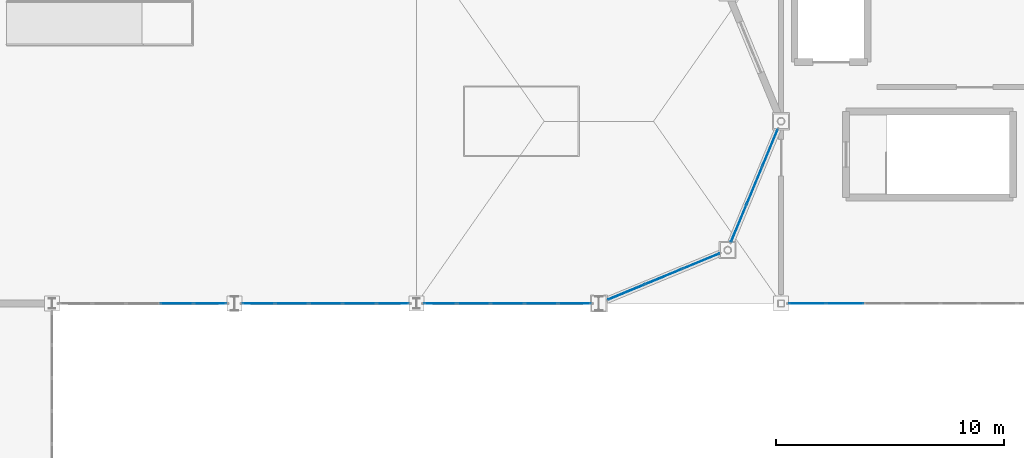
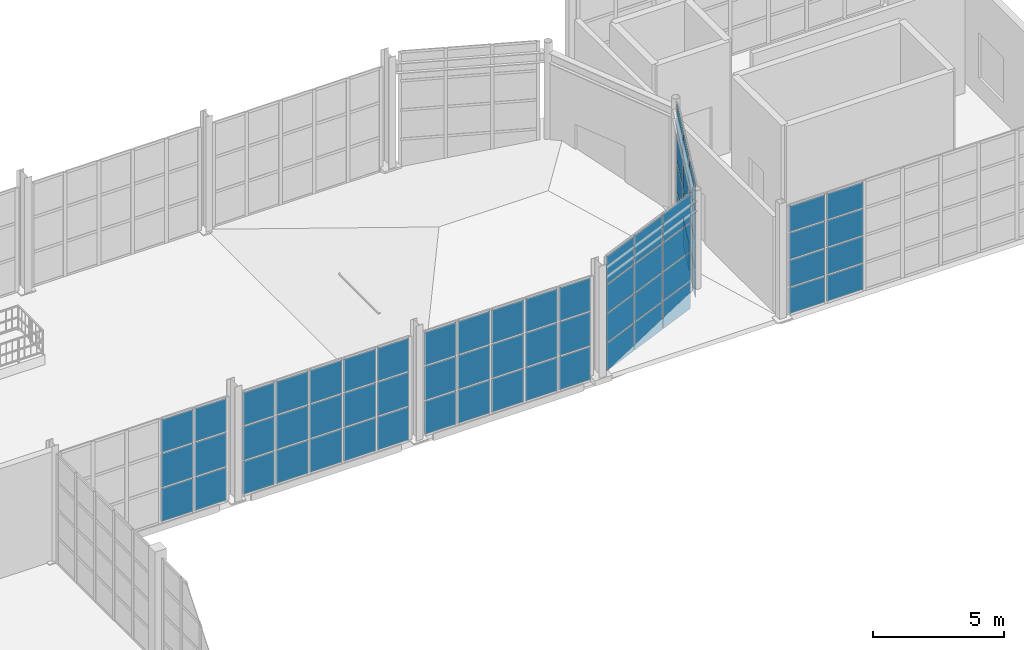
# One storey, part 61 of 82: 68 plates, 6 elements without a shape of their own.
"""IFC4 building model written with IfcOpenShell, lengths in metres."""

from ifc_helpers import new_model, si_unit, direction, frame, origin, origin_2d, place, context, subcontext, project, spatial, rectangle, extrude, material, layer, layer_set, type_object, element, aggregate, save


model = new_model("IFC4")

# Units and contexts
model_context = context("Model", 3, precision=1e-05, world=origin(), true_north=direction((0.0, 1.0)))
body_context = subcontext(model_context, "Body", "Model", "MODEL_VIEW")
ifc_project = project(units=[si_unit("LENGTHUNIT", "METRE"), si_unit("AREAUNIT", "SQUARE_METRE"), si_unit("VOLUMEUNIT", "CUBIC_METRE"), si_unit("PLANEANGLEUNIT", "RADIAN"), si_unit("MASSUNIT", "GRAM", prefix="KILO")], contexts=[model_context])

# Site, building, storey
site_placement = place(None, origin())
site = spatial("IfcSite", under=ifc_project, at=site_placement, CompositionType="ELEMENT")
building_placement = place(site_placement, origin())
building = spatial("IfcBuilding", under=site, at=building_placement, Name="Serraluz Foothill Cableway Terminal", CompositionType="ELEMENT")
storey_placement = place(building_placement, frame((0.0, 0.0, 9.60009765625)))
storey = spatial("IfcBuildingStorey", under=building, at=storey_placement, Name="L02", CompositionType="ELEMENT", Elevation=9.60009765625)

# Curtain wall, plates
ifc_material_1 = material(Name="Architectural bronze alloy C28000", Category="aluminium")
curtain_wall_type_1 = type_object("IfcCurtainWallType", Name="TYP-CW-380X420", PredefinedType="NOTDEFINED", material=ifc_material_1)
curtain_wall_1_placement = place(storey_placement, origin())
curtain_wall_1 = element("IfcCurtainWall", 1, at=curtain_wall_1_placement, inside=storey, type_object=curtain_wall_type_1, Name="Ribbed Glazed Curtain Wall CW-V1S-L02-128", PredefinedType="NOTDEFINED")
ifc_material_2 = material(Name="Translucent ribbed laminated channel glass", Category="glass")
ifc_layer_1 = layer(ifc_material_2, 0.028076171875, Name="Translucent ribbed laminated channel glass", Category="glass")
ifc_layer_set_1 = layer_set([ifc_layer_1], Name="Translucent ribbed laminated channel glass")
plate_type_1 = type_object("IfcPlateType", Name="TYP-CW-PNL-28", PredefinedType="CURTAIN_PANEL", material=ifc_layer_set_1)
plate_1_placement = place(storey_placement, frame((134.94091796875, 56.0, 0.06005859375), z_axis=(0.0, 0.0, 1.0), x_axis=(-1.0, 0.0, 0.0)))
plate_1 = element("IfcPlate", 2, at=plate_1_placement, type_object=plate_type_1, Name="CW-17 panel 1.1", PredefinedType="CURTAIN_PANEL", context=body_context, shape_type="SweptSolid", body=[
    extrude(rectangle(XDim=1.393310546875, YDim=0.028076171875, at=origin_2d()), origin(), (0.0, 0.0, 1.0), 1.526611328125),
])
plate_2_placement = place(storey_placement, frame((134.94091796875, 56.0, 1.646484375), z_axis=(0.0, 0.0, 1.0), x_axis=(-1.0, 0.0, 0.0)))
plate_2 = element("IfcPlate", 3, at=plate_2_placement, type_object=plate_type_1, Name="CW-17 panel 1.2", PredefinedType="CURTAIN_PANEL", context=body_context, shape_type="SweptSolid", body=[
    extrude(rectangle(XDim=1.393310546875, YDim=0.028076171875, at=origin_2d()), origin(), (0.0, 0.0, 1.0), 1.556640625),
])
plate_3_placement = place(storey_placement, frame((134.94091796875, 56.0, 3.26318359375), z_axis=(0.0, 0.0, 1.0), x_axis=(-1.0, 0.0, 0.0)))
plate_3 = element("IfcPlate", 4, at=plate_3_placement, type_object=plate_type_1, Name="CW-17 panel 1.3", PredefinedType="CURTAIN_PANEL", context=body_context, shape_type="SweptSolid", body=[
    extrude(rectangle(XDim=1.393310546875, YDim=0.028076171875, at=origin_2d()), origin(), (0.0, 0.0, 1.0), 1.526611328125),
])
plate_4_placement = place(storey_placement, frame((133.47265625, 56.0, 0.06005859375), z_axis=(0.0, 0.0, 1.0), x_axis=(-1.0, 0.0, 0.0)))
plate_4 = element("IfcPlate", 5, at=plate_4_placement, type_object=plate_type_1, Name="CW-17 panel 2.1", PredefinedType="CURTAIN_PANEL", context=body_context, shape_type="SweptSolid", body=[
    extrude(rectangle(XDim=1.423095703125, YDim=0.028076171875, at=origin_2d()), origin(), (0.0, 0.0, 1.0), 1.526611328125),
])
plate_5_placement = place(storey_placement, frame((133.47265625, 56.0, 1.646484375), z_axis=(0.0, 0.0, 1.0), x_axis=(-1.0, 0.0, 0.0)))
plate_5 = element("IfcPlate", 6, at=plate_5_placement, type_object=plate_type_1, Name="CW-17 panel 2.2", PredefinedType="CURTAIN_PANEL", context=body_context, shape_type="SweptSolid", body=[
    extrude(rectangle(XDim=1.423095703125, YDim=0.028076171875, at=origin_2d()), origin(), (0.0, 0.0, 1.0), 1.556640625),
])
plate_6_placement = place(storey_placement, frame((133.47265625, 56.0, 3.26318359375), z_axis=(0.0, 0.0, 1.0), x_axis=(-1.0, 0.0, 0.0)))
plate_6 = element("IfcPlate", 7, at=plate_6_placement, type_object=plate_type_1, Name="CW-17 panel 2.3", PredefinedType="CURTAIN_PANEL", context=body_context, shape_type="SweptSolid", body=[
    extrude(rectangle(XDim=1.423095703125, YDim=0.028076171875, at=origin_2d()), origin(), (0.0, 0.0, 1.0), 1.526611328125),
])
aggregate(curtain_wall_1, [plate_1, plate_2, plate_3, plate_4, plate_5, plate_6])

curtain_wall_type_2 = type_object("IfcCurtainWallType", Name="TYP-CW-360X380", PredefinedType="NOTDEFINED", material=ifc_material_1)
curtain_wall_2_placement = place(storey_placement, origin())
curtain_wall_2 = element("IfcCurtainWall", 8, at=curtain_wall_2_placement, inside=storey, type_object=curtain_wall_type_2, Name="Ribbed Glazed Curtain Wall CW-V1S-L02-136", PredefinedType="NOTDEFINED")
plate_7_placement = place(storey_placement, frame((142.9619140625, 56.0, 0.06005859375), z_axis=(0.0, 0.0, 1.0), x_axis=(-1.0, 0.0, 0.0)))
plate_7 = element("IfcPlate", 9, at=plate_7_placement, type_object=plate_type_1, Name="CW-18 panel 1.1", PredefinedType="CURTAIN_PANEL", context=body_context, shape_type="SweptSolid", body=[
    extrude(rectangle(XDim=1.393310546875, YDim=0.028076171875, at=origin_2d()), origin(), (0.0, 0.0, 1.0), 1.526611328125),
])
plate_8_placement = place(storey_placement, frame((142.9619140625, 56.0, 1.646484375), z_axis=(0.0, 0.0, 1.0), x_axis=(-1.0, 0.0, 0.0)))
plate_8 = element("IfcPlate", 10, at=plate_8_placement, type_object=plate_type_1, Name="CW-18 panel 1.2", PredefinedType="CURTAIN_PANEL", context=body_context, shape_type="SweptSolid", body=[
    extrude(rectangle(XDim=1.393310546875, YDim=0.028076171875, at=origin_2d()), origin(), (0.0, 0.0, 1.0), 1.556640625),
])
plate_9_placement = place(storey_placement, frame((142.9619140625, 56.0, 3.26318359375), z_axis=(0.0, 0.0, 1.0), x_axis=(-1.0, 0.0, 0.0)))
plate_9 = element("IfcPlate", 11, at=plate_9_placement, type_object=plate_type_1, Name="CW-18 panel 1.3", PredefinedType="CURTAIN_PANEL", context=body_context, shape_type="SweptSolid", body=[
    extrude(rectangle(XDim=1.393310546875, YDim=0.028076171875, at=origin_2d()), origin(), (0.0, 0.0, 1.0), 1.526611328125),
])
plate_10_placement = place(storey_placement, frame((141.49365234375, 56.0, 0.06005859375), z_axis=(0.0, 0.0, 1.0), x_axis=(-1.0, 0.0, 0.0)))
plate_10 = element("IfcPlate", 12, at=plate_10_placement, type_object=plate_type_1, Name="CW-18 panel 2.1", PredefinedType="CURTAIN_PANEL", context=body_context, shape_type="SweptSolid", body=[
    extrude(rectangle(XDim=1.423095703125, YDim=0.028076171875, at=origin_2d()), origin(), (0.0, 0.0, 1.0), 1.526611328125),
])
plate_11_placement = place(storey_placement, frame((141.49365234375, 56.0, 1.646484375), z_axis=(0.0, 0.0, 1.0), x_axis=(-1.0, 0.0, 0.0)))
plate_11 = element("IfcPlate", 13, at=plate_11_placement, type_object=plate_type_1, Name="CW-18 panel 2.2", PredefinedType="CURTAIN_PANEL", context=body_context, shape_type="SweptSolid", body=[
    extrude(rectangle(XDim=1.423095703125, YDim=0.028076171875, at=origin_2d()), origin(), (0.0, 0.0, 1.0), 1.556640625),
])
plate_12_placement = place(storey_placement, frame((141.49365234375, 56.0, 3.26318359375), z_axis=(0.0, 0.0, 1.0), x_axis=(-1.0, 0.0, 0.0)))
plate_12 = element("IfcPlate", 14, at=plate_12_placement, type_object=plate_type_1, Name="CW-18 panel 2.3", PredefinedType="CURTAIN_PANEL", context=body_context, shape_type="SweptSolid", body=[
    extrude(rectangle(XDim=1.423095703125, YDim=0.028076171875, at=origin_2d()), origin(), (0.0, 0.0, 1.0), 1.526611328125),
])
plate_13_placement = place(storey_placement, frame((140.010498046875, 56.0, 0.06005859375), z_axis=(0.0, 0.0, 1.0), x_axis=(-1.0, 0.0, 0.0)))
plate_13 = element("IfcPlate", 15, at=plate_13_placement, type_object=plate_type_1, Name="CW-18 panel 3.1", PredefinedType="CURTAIN_PANEL", context=body_context, shape_type="SweptSolid", body=[
    extrude(rectangle(XDim=1.423095703125, YDim=0.028076171875, at=origin_2d()), origin(), (0.0, 0.0, 1.0), 1.526611328125),
])
plate_14_placement = place(storey_placement, frame((140.010498046875, 56.0, 1.646484375), z_axis=(0.0, 0.0, 1.0), x_axis=(-1.0, 0.0, 0.0)))
plate_14 = element("IfcPlate", 16, at=plate_14_placement, type_object=plate_type_1, Name="CW-18 panel 3.2", PredefinedType="CURTAIN_PANEL", context=body_context, shape_type="SweptSolid", body=[
    extrude(rectangle(XDim=1.423095703125, YDim=0.028076171875, at=origin_2d()), origin(), (0.0, 0.0, 1.0), 1.556640625),
])
plate_15_placement = place(storey_placement, frame((140.010498046875, 56.0, 3.26318359375), z_axis=(0.0, 0.0, 1.0), x_axis=(-1.0, 0.0, 0.0)))
plate_15 = element("IfcPlate", 17, at=plate_15_placement, type_object=plate_type_1, Name="CW-18 panel 3.3", PredefinedType="CURTAIN_PANEL", context=body_context, shape_type="SweptSolid", body=[
    extrude(rectangle(XDim=1.423095703125, YDim=0.028076171875, at=origin_2d()), origin(), (0.0, 0.0, 1.0), 1.526611328125),
])
plate_16_placement = place(storey_placement, frame((138.52734375, 56.0, 0.06005859375), z_axis=(0.0, 0.0, 1.0), x_axis=(-1.0, 0.0, 0.0)))
plate_16 = element("IfcPlate", 18, at=plate_16_placement, type_object=plate_type_1, Name="CW-18 panel 4.1", PredefinedType="CURTAIN_PANEL", context=body_context, shape_type="SweptSolid", body=[
    extrude(rectangle(XDim=1.423095703125, YDim=0.028076171875, at=origin_2d()), origin(), (0.0, 0.0, 1.0), 1.526611328125),
])
plate_17_placement = place(storey_placement, frame((138.52734375, 56.0, 1.646484375), z_axis=(0.0, 0.0, 1.0), x_axis=(-1.0, 0.0, 0.0)))
plate_17 = element("IfcPlate", 19, at=plate_17_placement, type_object=plate_type_1, Name="CW-18 panel 4.2", PredefinedType="CURTAIN_PANEL", context=body_context, shape_type="SweptSolid", body=[
    extrude(rectangle(XDim=1.423095703125, YDim=0.028076171875, at=origin_2d()), origin(), (0.0, 0.0, 1.0), 1.556640625),
])
plate_18_placement = place(storey_placement, frame((138.52734375, 56.0, 3.26318359375), z_axis=(0.0, 0.0, 1.0), x_axis=(-1.0, 0.0, 0.0)))
plate_18 = element("IfcPlate", 20, at=plate_18_placement, type_object=plate_type_1, Name="CW-18 panel 4.3", PredefinedType="CURTAIN_PANEL", context=body_context, shape_type="SweptSolid", body=[
    extrude(rectangle(XDim=1.423095703125, YDim=0.028076171875, at=origin_2d()), origin(), (0.0, 0.0, 1.0), 1.526611328125),
])
plate_19_placement = place(storey_placement, frame((137.05908203125, 56.0, 0.06005859375), z_axis=(0.0, 0.0, 1.0), x_axis=(-1.0, 0.0, 0.0)))
plate_19 = element("IfcPlate", 21, at=plate_19_placement, type_object=plate_type_1, Name="CW-18 panel 5.1", PredefinedType="CURTAIN_PANEL", context=body_context, shape_type="SweptSolid", body=[
    extrude(rectangle(XDim=1.393310546875, YDim=0.028076171875, at=origin_2d()), origin(), (0.0, 0.0, 1.0), 1.526611328125),
])
plate_20_placement = place(storey_placement, frame((137.05908203125, 56.0, 1.646484375), z_axis=(0.0, 0.0, 1.0), x_axis=(-1.0, 0.0, 0.0)))
plate_20 = element("IfcPlate", 22, at=plate_20_placement, type_object=plate_type_1, Name="CW-18 panel 5.2", PredefinedType="CURTAIN_PANEL", context=body_context, shape_type="SweptSolid", body=[
    extrude(rectangle(XDim=1.393310546875, YDim=0.028076171875, at=origin_2d()), origin(), (0.0, 0.0, 1.0), 1.556640625),
])
plate_21_placement = place(storey_placement, frame((137.05908203125, 56.0, 3.26318359375), z_axis=(0.0, 0.0, 1.0), x_axis=(-1.0, 0.0, 0.0)))
plate_21 = element("IfcPlate", 23, at=plate_21_placement, type_object=plate_type_1, Name="CW-18 panel 5.3", PredefinedType="CURTAIN_PANEL", context=body_context, shape_type="SweptSolid", body=[
    extrude(rectangle(XDim=1.393310546875, YDim=0.028076171875, at=origin_2d()), origin(), (0.0, 0.0, 1.0), 1.526611328125),
])
aggregate(curtain_wall_2, [plate_7, plate_8, plate_9, plate_10, plate_11, plate_12, plate_13, plate_14, plate_15, plate_16, plate_17, plate_18, plate_19, plate_20, plate_21])

curtain_wall_type_3 = type_object("IfcCurtainWallType", Name="TYP-CW-880X420", PredefinedType="NOTDEFINED", material=ifc_material_1)
curtain_wall_3_placement = place(storey_placement, origin())
curtain_wall_3 = element("IfcCurtainWall", 24, at=curtain_wall_3_placement, inside=storey, type_object=curtain_wall_type_3, Name="Ribbed Glazed Curtain Wall CW-V1S-L02-144", PredefinedType="NOTDEFINED")
plate_22_placement = place(storey_placement, frame((150.94091796875, 56.0, 0.06005859375), z_axis=(0.0, 0.0, 1.0), x_axis=(-1.0, 0.0, 0.0)))
plate_22 = element("IfcPlate", 25, at=plate_22_placement, type_object=plate_type_1, Name="CW-19 panel 1.1", PredefinedType="CURTAIN_PANEL", context=body_context, shape_type="SweptSolid", body=[
    extrude(rectangle(XDim=1.393310546875, YDim=0.028076171875, at=origin_2d()), origin(), (0.0, 0.0, 1.0), 1.526611328125),
])
plate_23_placement = place(storey_placement, frame((150.94091796875, 56.0, 1.646484375), z_axis=(0.0, 0.0, 1.0), x_axis=(-1.0, 0.0, 0.0)))
plate_23 = element("IfcPlate", 26, at=plate_23_placement, type_object=plate_type_1, Name="CW-19 panel 1.2", PredefinedType="CURTAIN_PANEL", context=body_context, shape_type="SweptSolid", body=[
    extrude(rectangle(XDim=1.393310546875, YDim=0.028076171875, at=origin_2d()), origin(), (0.0, 0.0, 1.0), 1.556640625),
])
plate_24_placement = place(storey_placement, frame((150.94091796875, 56.0, 3.26318359375), z_axis=(0.0, 0.0, 1.0), x_axis=(-1.0, 0.0, 0.0)))
plate_24 = element("IfcPlate", 27, at=plate_24_placement, type_object=plate_type_1, Name="CW-19 panel 1.3", PredefinedType="CURTAIN_PANEL", context=body_context, shape_type="SweptSolid", body=[
    extrude(rectangle(XDim=1.393310546875, YDim=0.028076171875, at=origin_2d()), origin(), (0.0, 0.0, 1.0), 1.526611328125),
])
plate_25_placement = place(storey_placement, frame((149.47265625, 56.0, 0.06005859375), z_axis=(0.0, 0.0, 1.0), x_axis=(-1.0, 0.0, 0.0)))
plate_25 = element("IfcPlate", 28, at=plate_25_placement, type_object=plate_type_1, Name="CW-19 panel 2.1", PredefinedType="CURTAIN_PANEL", context=body_context, shape_type="SweptSolid", body=[
    extrude(rectangle(XDim=1.423095703125, YDim=0.028076171875, at=origin_2d()), origin(), (0.0, 0.0, 1.0), 1.526611328125),
])
plate_26_placement = place(storey_placement, frame((149.47265625, 56.0, 1.646484375), z_axis=(0.0, 0.0, 1.0), x_axis=(-1.0, 0.0, 0.0)))
plate_26 = element("IfcPlate", 29, at=plate_26_placement, type_object=plate_type_1, Name="CW-19 panel 2.2", PredefinedType="CURTAIN_PANEL", context=body_context, shape_type="SweptSolid", body=[
    extrude(rectangle(XDim=1.423095703125, YDim=0.028076171875, at=origin_2d()), origin(), (0.0, 0.0, 1.0), 1.556640625),
])
plate_27_placement = place(storey_placement, frame((149.47265625, 56.0, 3.26318359375), z_axis=(0.0, 0.0, 1.0), x_axis=(-1.0, 0.0, 0.0)))
plate_27 = element("IfcPlate", 30, at=plate_27_placement, type_object=plate_type_1, Name="CW-19 panel 2.3", PredefinedType="CURTAIN_PANEL", context=body_context, shape_type="SweptSolid", body=[
    extrude(rectangle(XDim=1.423095703125, YDim=0.028076171875, at=origin_2d()), origin(), (0.0, 0.0, 1.0), 1.526611328125),
])
plate_28_placement = place(storey_placement, frame((147.989501953125, 56.0, 0.06005859375), z_axis=(0.0, 0.0, 1.0), x_axis=(-1.0, 0.0, 0.0)))
plate_28 = element("IfcPlate", 31, at=plate_28_placement, type_object=plate_type_1, Name="CW-19 panel 3.1", PredefinedType="CURTAIN_PANEL", context=body_context, shape_type="SweptSolid", body=[
    extrude(rectangle(XDim=1.423095703125, YDim=0.028076171875, at=origin_2d()), origin(), (0.0, 0.0, 1.0), 1.526611328125),
])
plate_29_placement = place(storey_placement, frame((147.989501953125, 56.0, 1.646484375), z_axis=(0.0, 0.0, 1.0), x_axis=(-1.0, 0.0, 0.0)))
plate_29 = element("IfcPlate", 32, at=plate_29_placement, type_object=plate_type_1, Name="CW-19 panel 3.2", PredefinedType="CURTAIN_PANEL", context=body_context, shape_type="SweptSolid", body=[
    extrude(rectangle(XDim=1.423095703125, YDim=0.028076171875, at=origin_2d()), origin(), (0.0, 0.0, 1.0), 1.556640625),
])
plate_30_placement = place(storey_placement, frame((147.989501953125, 56.0, 3.26318359375), z_axis=(0.0, 0.0, 1.0), x_axis=(-1.0, 0.0, 0.0)))
plate_30 = element("IfcPlate", 33, at=plate_30_placement, type_object=plate_type_1, Name="CW-19 panel 3.3", PredefinedType="CURTAIN_PANEL", context=body_context, shape_type="SweptSolid", body=[
    extrude(rectangle(XDim=1.423095703125, YDim=0.028076171875, at=origin_2d()), origin(), (0.0, 0.0, 1.0), 1.526611328125),
])
plate_31_placement = place(storey_placement, frame((146.50634765625, 56.0, 0.06005859375), z_axis=(0.0, 0.0, 1.0), x_axis=(-1.0, 0.0, 0.0)))
plate_31 = element("IfcPlate", 34, at=plate_31_placement, type_object=plate_type_1, Name="CW-19 panel 4.1", PredefinedType="CURTAIN_PANEL", context=body_context, shape_type="SweptSolid", body=[
    extrude(rectangle(XDim=1.423095703125, YDim=0.028076171875, at=origin_2d()), origin(), (0.0, 0.0, 1.0), 1.526611328125),
])
plate_32_placement = place(storey_placement, frame((146.50634765625, 56.0, 1.646484375), z_axis=(0.0, 0.0, 1.0), x_axis=(-1.0, 0.0, 0.0)))
plate_32 = element("IfcPlate", 35, at=plate_32_placement, type_object=plate_type_1, Name="CW-19 panel 4.2", PredefinedType="CURTAIN_PANEL", context=body_context, shape_type="SweptSolid", body=[
    extrude(rectangle(XDim=1.423095703125, YDim=0.028076171875, at=origin_2d()), origin(), (0.0, 0.0, 1.0), 1.556640625),
])
plate_33_placement = place(storey_placement, frame((146.50634765625, 56.0, 3.26318359375), z_axis=(0.0, 0.0, 1.0), x_axis=(-1.0, 0.0, 0.0)))
plate_33 = element("IfcPlate", 36, at=plate_33_placement, type_object=plate_type_1, Name="CW-19 panel 4.3", PredefinedType="CURTAIN_PANEL", context=body_context, shape_type="SweptSolid", body=[
    extrude(rectangle(XDim=1.423095703125, YDim=0.028076171875, at=origin_2d()), origin(), (0.0, 0.0, 1.0), 1.526611328125),
])
plate_34_placement = place(storey_placement, frame((145.0380859375, 56.0, 0.06005859375), z_axis=(0.0, 0.0, 1.0), x_axis=(-1.0, 0.0, 0.0)))
plate_34 = element("IfcPlate", 37, at=plate_34_placement, type_object=plate_type_1, Name="CW-19 panel 5.1", PredefinedType="CURTAIN_PANEL", context=body_context, shape_type="SweptSolid", body=[
    extrude(rectangle(XDim=1.393310546875, YDim=0.028076171875, at=origin_2d()), origin(), (0.0, 0.0, 1.0), 1.526611328125),
])
plate_35_placement = place(storey_placement, frame((145.0380859375, 56.0, 1.646484375), z_axis=(0.0, 0.0, 1.0), x_axis=(-1.0, 0.0, 0.0)))
plate_35 = element("IfcPlate", 38, at=plate_35_placement, type_object=plate_type_1, Name="CW-19 panel 5.2", PredefinedType="CURTAIN_PANEL", context=body_context, shape_type="SweptSolid", body=[
    extrude(rectangle(XDim=1.393310546875, YDim=0.028076171875, at=origin_2d()), origin(), (0.0, 0.0, 1.0), 1.556640625),
])
plate_36_placement = place(storey_placement, frame((145.0380859375, 56.0, 3.26318359375), z_axis=(0.0, 0.0, 1.0), x_axis=(-1.0, 0.0, 0.0)))
plate_36 = element("IfcPlate", 39, at=plate_36_placement, type_object=plate_type_1, Name="CW-19 panel 5.3", PredefinedType="CURTAIN_PANEL", context=body_context, shape_type="SweptSolid", body=[
    extrude(rectangle(XDim=1.393310546875, YDim=0.028076171875, at=origin_2d()), origin(), (0.0, 0.0, 1.0), 1.526611328125),
])
aggregate(curtain_wall_3, [plate_22, plate_23, plate_24, plate_25, plate_26, plate_27, plate_28, plate_29, plate_30, plate_31, plate_32, plate_33, plate_34, plate_35, plate_36])

curtain_wall_type_4 = type_object("IfcCurtainWallType", Name="TYP-CW-440X360", PredefinedType="NOTDEFINED", material=ifc_material_1)
curtain_wall_4_placement = place(storey_placement, origin())
curtain_wall_4 = element("IfcCurtainWall", 40, at=curtain_wall_4_placement, inside=storey, type_object=curtain_wall_type_4, Name="Ribbed Glazed Curtain Wall CW-V1-E-L02-3", PredefinedType="NOTDEFINED")
ifc_material_3 = material(Name="Laminated low-E safety glass", Category="glass")
ifc_layer_2 = layer(ifc_material_3, 0.031982421875, Name="Laminated low-E safety glass", Category="glass")
ifc_layer_set_2 = layer_set([ifc_layer_2], Name="Laminated low-E safety glass")
plate_type_2 = type_object("IfcPlateType", Name="TYP-CW-PNL-32", PredefinedType="CURTAIN_PANEL", material=ifc_layer_set_2)
plate_37_placement = place(storey_placement, frame((159.5146484375, 62.827880859375, 0.054931640625), z_axis=(0.0, 0.0, 1.0), x_axis=(-0.382684759834, -0.923878982655, 0.0)))
plate_37 = element("IfcPlate", 41, at=plate_37_placement, type_object=plate_type_2, Name="CW-16 panel 1.1", PredefinedType="CURTAIN_PANEL", context=body_context, shape_type="SweptSolid", body=[
    extrude(rectangle(XDim=1.72412109375, YDim=0.031982421875, at=origin_2d()), origin(), (0.0, 0.0, 1.0), 1.2724609375),
])
plate_38_placement = place(storey_placement, frame((159.5146484375, 62.827880859375, 1.38232421875), z_axis=(0.0, 0.0, 1.0), x_axis=(-0.382684759834, -0.923878982655, 0.0)))
plate_38 = element("IfcPlate", 42, at=plate_38_placement, type_object=plate_type_2, Name="CW-16 panel 1.2", PredefinedType="CURTAIN_PANEL", context=body_context, shape_type="SweptSolid", body=[
    extrude(rectangle(XDim=1.72412109375, YDim=0.031982421875, at=origin_2d()), origin(), (0.0, 0.0, 1.0), 1.300048828125),
])
plate_39_placement = place(storey_placement, frame((159.5146484375, 62.827880859375, 2.7373046875), z_axis=(0.0, 0.0, 1.0), x_axis=(-0.382684759834, -0.923878982655, 0.0)))
plate_39 = element("IfcPlate", 43, at=plate_39_placement, type_object=plate_type_2, Name="CW-16 panel 1.3", PredefinedType="CURTAIN_PANEL", context=body_context, shape_type="SweptSolid", body=[
    extrude(rectangle(XDim=1.72412109375, YDim=0.031982421875, at=origin_2d()), origin(), (0.0, 0.0, 1.0), 1.300048828125),
])
plate_40_placement = place(storey_placement, frame((159.5146484375, 62.827880859375, 4.092529296875), z_axis=(0.0, 0.0, 1.0), x_axis=(-0.382684759834, -0.923878982655, 0.0)))
plate_40 = element("IfcPlate", 44, at=plate_40_placement, type_object=plate_type_2, Name="CW-16 panel 1.4", PredefinedType="CURTAIN_PANEL", context=body_context, shape_type="SweptSolid", body=[
    extrude(rectangle(XDim=1.72412109375, YDim=0.031982421875, at=origin_2d()), origin(), (0.0, 0.0, 1.0), 1.2724609375),
])
plate_41_placement = place(storey_placement, frame((158.828369140625, 61.171630859375, 0.054931640625), z_axis=(0.0, 0.0, 1.0), x_axis=(-0.382684759834, -0.923878982655, 0.0)))
plate_41 = element("IfcPlate", 45, at=plate_41_placement, type_object=plate_type_2, Name="CW-16 panel 2.1", PredefinedType="CURTAIN_PANEL", context=body_context, shape_type="SweptSolid", body=[
    extrude(rectangle(XDim=1.751708984375, YDim=0.031982421875, at=origin_2d()), origin(), (0.0, 0.0, 1.0), 1.2724609375),
])
plate_42_placement = place(storey_placement, frame((158.828369140625, 61.171630859375, 1.38232421875), z_axis=(0.0, 0.0, 1.0), x_axis=(-0.382684759834, -0.923878982655, 0.0)))
plate_42 = element("IfcPlate", 46, at=plate_42_placement, type_object=plate_type_2, Name="CW-16 panel 2.2", PredefinedType="CURTAIN_PANEL", context=body_context, shape_type="SweptSolid", body=[
    extrude(rectangle(XDim=1.751708984375, YDim=0.031982421875, at=origin_2d()), origin(), (0.0, 0.0, 1.0), 1.300048828125),
])
plate_43_placement = place(storey_placement, frame((158.828369140625, 61.171630859375, 2.7373046875), z_axis=(0.0, 0.0, 1.0), x_axis=(-0.382684759834, -0.923878982655, 0.0)))
plate_43 = element("IfcPlate", 47, at=plate_43_placement, type_object=plate_type_2, Name="CW-16 panel 2.3", PredefinedType="CURTAIN_PANEL", context=body_context, shape_type="SweptSolid", body=[
    extrude(rectangle(XDim=1.751708984375, YDim=0.031982421875, at=origin_2d()), origin(), (0.0, 0.0, 1.0), 1.300048828125),
])
plate_44_placement = place(storey_placement, frame((158.828369140625, 61.171630859375, 4.092529296875), z_axis=(0.0, 0.0, 1.0), x_axis=(-0.382684759834, -0.923878982655, 0.0)))
plate_44 = element("IfcPlate", 48, at=plate_44_placement, type_object=plate_type_2, Name="CW-16 panel 2.4", PredefinedType="CURTAIN_PANEL", context=body_context, shape_type="SweptSolid", body=[
    extrude(rectangle(XDim=1.751708984375, YDim=0.031982421875, at=origin_2d()), origin(), (0.0, 0.0, 1.0), 1.2724609375),
])
plate_45_placement = place(storey_placement, frame((158.142333984375, 59.51513671875, 0.054931640625), z_axis=(0.0, 0.0, 1.0), x_axis=(-0.382684759834, -0.923878982655, 0.0)))
plate_45 = element("IfcPlate", 49, at=plate_45_placement, type_object=plate_type_2, Name="CW-16 panel 3.1", PredefinedType="CURTAIN_PANEL", context=body_context, shape_type="SweptSolid", body=[
    extrude(rectangle(XDim=1.72412109375, YDim=0.031982421875, at=origin_2d()), origin(), (0.0, 0.0, 1.0), 1.2724609375),
])
plate_46_placement = place(storey_placement, frame((158.142333984375, 59.51513671875, 1.38232421875), z_axis=(0.0, 0.0, 1.0), x_axis=(-0.382684759834, -0.923878982655, 0.0)))
plate_46 = element("IfcPlate", 50, at=plate_46_placement, type_object=plate_type_2, Name="CW-16 panel 3.2", PredefinedType="CURTAIN_PANEL", context=body_context, shape_type="SweptSolid", body=[
    extrude(rectangle(XDim=1.72412109375, YDim=0.031982421875, at=origin_2d()), origin(), (0.0, 0.0, 1.0), 1.300048828125),
])
plate_47_placement = place(storey_placement, frame((158.142333984375, 59.51513671875, 2.7373046875), z_axis=(0.0, 0.0, 1.0), x_axis=(-0.382684759834, -0.923878982655, 0.0)))
plate_47 = element("IfcPlate", 51, at=plate_47_placement, type_object=plate_type_2, Name="CW-16 panel 3.3", PredefinedType="CURTAIN_PANEL", context=body_context, shape_type="SweptSolid", body=[
    extrude(rectangle(XDim=1.72412109375, YDim=0.031982421875, at=origin_2d()), origin(), (0.0, 0.0, 1.0), 1.300048828125),
])
plate_48_placement = place(storey_placement, frame((158.142333984375, 59.51513671875, 4.092529296875), z_axis=(0.0, 0.0, 1.0), x_axis=(-0.382684759834, -0.923878982655, 0.0)))
plate_48 = element("IfcPlate", 52, at=plate_48_placement, type_object=plate_type_2, Name="CW-16 panel 3.4", PredefinedType="CURTAIN_PANEL", context=body_context, shape_type="SweptSolid", body=[
    extrude(rectangle(XDim=1.72412109375, YDim=0.031982421875, at=origin_2d()), origin(), (0.0, 0.0, 1.0), 1.2724609375),
])
aggregate(curtain_wall_4, [plate_37, plate_38, plate_39, plate_40, plate_41, plate_42, plate_43, plate_44, plate_45, plate_46, plate_47, plate_48])

curtain_wall_5_placement = place(storey_placement, origin())
curtain_wall_5 = element("IfcCurtainWall", 53, at=curtain_wall_5_placement, inside=storey, type_object=curtain_wall_type_1, Name="Ribbed Glazed Curtain Wall CW-V1-E-L02-4", PredefinedType="NOTDEFINED")
plate_49_placement = place(storey_placement, frame((156.493408203125, 57.861328125, 0.054931640625), z_axis=(0.0, 0.0, 1.0), x_axis=(-0.923880260537, -0.382681674752, 0.0)))
plate_49 = element("IfcPlate", 54, at=plate_49_placement, type_object=plate_type_2, Name="CW-17 panel 1.1", PredefinedType="CURTAIN_PANEL", context=body_context, shape_type="SweptSolid", body=[
    extrude(rectangle(XDim=1.705322265625, YDim=0.031982421875, at=origin_2d()), origin(), (0.0, 0.0, 1.0), 1.2724609375),
])
plate_50_placement = place(storey_placement, frame((156.493408203125, 57.861328125, 1.38232421875), z_axis=(0.0, 0.0, 1.0), x_axis=(-0.923880260537, -0.382681674752, 0.0)))
plate_50 = element("IfcPlate", 55, at=plate_50_placement, type_object=plate_type_2, Name="CW-17 panel 1.2", PredefinedType="CURTAIN_PANEL", context=body_context, shape_type="SweptSolid", body=[
    extrude(rectangle(XDim=1.705322265625, YDim=0.031982421875, at=origin_2d()), origin(), (0.0, 0.0, 1.0), 1.300048828125),
])
plate_51_placement = place(storey_placement, frame((156.493408203125, 57.861328125, 2.7373046875), z_axis=(0.0, 0.0, 1.0), x_axis=(-0.923880260537, -0.382681674752, 0.0)))
plate_51 = element("IfcPlate", 56, at=plate_51_placement, type_object=plate_type_2, Name="CW-17 panel 1.3", PredefinedType="CURTAIN_PANEL", context=body_context, shape_type="SweptSolid", body=[
    extrude(rectangle(XDim=1.705322265625, YDim=0.031982421875, at=origin_2d()), origin(), (0.0, 0.0, 1.0), 1.300048828125),
])
plate_52_placement = place(storey_placement, frame((156.493408203125, 57.861328125, 4.092529296875), z_axis=(0.0, 0.0, 1.0), x_axis=(-0.923880260537, -0.382681674752, 0.0)))
plate_52 = element("IfcPlate", 57, at=plate_52_placement, type_object=plate_type_2, Name="CW-17 panel 1.4", PredefinedType="CURTAIN_PANEL", context=body_context, shape_type="SweptSolid", body=[
    extrude(rectangle(XDim=1.705322265625, YDim=0.031982421875, at=origin_2d()), origin(), (0.0, 0.0, 1.0), 1.2724609375),
])
plate_53_placement = place(storey_placement, frame((154.8544921875, 57.182373046875, 0.054931640625), z_axis=(0.0, 0.0, 1.0), x_axis=(-0.923880260537, -0.382681674752, 0.0)))
plate_53 = element("IfcPlate", 58, at=plate_53_placement, type_object=plate_type_2, Name="CW-17 panel 2.1", PredefinedType="CURTAIN_PANEL", context=body_context, shape_type="SweptSolid", body=[
    extrude(rectangle(XDim=1.73291015625, YDim=0.031982421875, at=origin_2d()), origin(), (0.0, 0.0, 1.0), 1.2724609375),
])
plate_54_placement = place(storey_placement, frame((154.8544921875, 57.182373046875, 1.38232421875), z_axis=(0.0, 0.0, 1.0), x_axis=(-0.923880260537, -0.382681674752, 0.0)))
plate_54 = element("IfcPlate", 59, at=plate_54_placement, type_object=plate_type_2, Name="CW-17 panel 2.2", PredefinedType="CURTAIN_PANEL", context=body_context, shape_type="SweptSolid", body=[
    extrude(rectangle(XDim=1.73291015625, YDim=0.031982421875, at=origin_2d()), origin(), (0.0, 0.0, 1.0), 1.300048828125),
])
plate_55_placement = place(storey_placement, frame((154.8544921875, 57.182373046875, 2.7373046875), z_axis=(0.0, 0.0, 1.0), x_axis=(-0.923880260537, -0.382681674752, 0.0)))
plate_55 = element("IfcPlate", 60, at=plate_55_placement, type_object=plate_type_2, Name="CW-17 panel 2.3", PredefinedType="CURTAIN_PANEL", context=body_context, shape_type="SweptSolid", body=[
    extrude(rectangle(XDim=1.73291015625, YDim=0.031982421875, at=origin_2d()), origin(), (0.0, 0.0, 1.0), 1.300048828125),
])
plate_56_placement = place(storey_placement, frame((154.8544921875, 57.182373046875, 4.092529296875), z_axis=(0.0, 0.0, 1.0), x_axis=(-0.923880260537, -0.382681674752, 0.0)))
plate_56 = element("IfcPlate", 61, at=plate_56_placement, type_object=plate_type_2, Name="CW-17 panel 2.4", PredefinedType="CURTAIN_PANEL", context=body_context, shape_type="SweptSolid", body=[
    extrude(rectangle(XDim=1.73291015625, YDim=0.031982421875, at=origin_2d()), origin(), (0.0, 0.0, 1.0), 1.2724609375),
])
plate_57_placement = place(storey_placement, frame((153.215576171875, 56.50341796875, 0.054931640625), z_axis=(0.0, 0.0, 1.0), x_axis=(-0.923880260537, -0.382681674752, 0.0)))
plate_57 = element("IfcPlate", 62, at=plate_57_placement, type_object=plate_type_2, Name="CW-17 panel 3.1", PredefinedType="CURTAIN_PANEL", context=body_context, shape_type="SweptSolid", body=[
    extrude(rectangle(XDim=1.705322265625, YDim=0.031982421875, at=origin_2d()), origin(), (0.0, 0.0, 1.0), 1.2724609375),
])
plate_58_placement = place(storey_placement, frame((153.215576171875, 56.50341796875, 1.38232421875), z_axis=(0.0, 0.0, 1.0), x_axis=(-0.923880260537, -0.382681674752, 0.0)))
plate_58 = element("IfcPlate", 63, at=plate_58_placement, type_object=plate_type_2, Name="CW-17 panel 3.2", PredefinedType="CURTAIN_PANEL", context=body_context, shape_type="SweptSolid", body=[
    extrude(rectangle(XDim=1.705322265625, YDim=0.031982421875, at=origin_2d()), origin(), (0.0, 0.0, 1.0), 1.300048828125),
])
plate_59_placement = place(storey_placement, frame((153.215576171875, 56.50341796875, 2.7373046875), z_axis=(0.0, 0.0, 1.0), x_axis=(-0.923880260537, -0.382681674752, 0.0)))
plate_59 = element("IfcPlate", 64, at=plate_59_placement, type_object=plate_type_2, Name="CW-17 panel 3.3", PredefinedType="CURTAIN_PANEL", context=body_context, shape_type="SweptSolid", body=[
    extrude(rectangle(XDim=1.705322265625, YDim=0.031982421875, at=origin_2d()), origin(), (0.0, 0.0, 1.0), 1.300048828125),
])
plate_60_placement = place(storey_placement, frame((153.215576171875, 56.50341796875, 4.092529296875), z_axis=(0.0, 0.0, 1.0), x_axis=(-0.923880260537, -0.382681674752, 0.0)))
plate_60 = element("IfcPlate", 65, at=plate_60_placement, type_object=plate_type_2, Name="CW-17 panel 3.4", PredefinedType="CURTAIN_PANEL", context=body_context, shape_type="SweptSolid", body=[
    extrude(rectangle(XDim=1.705322265625, YDim=0.031982421875, at=origin_2d()), origin(), (0.0, 0.0, 1.0), 1.2724609375),
])
aggregate(curtain_wall_5, [plate_49, plate_50, plate_51, plate_52, plate_53, plate_54, plate_55, plate_56, plate_57, plate_58, plate_59, plate_60])

curtain_wall_type_5 = type_object("IfcCurtainWallType", Name="TYP-CW-1280X440", PredefinedType="NOTDEFINED", material=ifc_material_1)
curtain_wall_6_placement = place(storey_placement, origin())
curtain_wall_6 = element("IfcCurtainWall", 66, at=curtain_wall_6_placement, inside=storey, type_object=curtain_wall_type_5, Name="Ribbed Glazed Curtain Wall CW-V2S-L02", PredefinedType="NOTDEFINED")
ifc_layer_3 = layer(ifc_material_3, 0.035888671875, Name="Laminated low-E safety glass", Category="glass")
ifc_layer_set_3 = layer_set([ifc_layer_3], Name="Laminated low-E safety glass")
plate_type_3 = type_object("IfcPlateType", Name="TYP-CW-PNL-36", PredefinedType="CURTAIN_PANEL", material=ifc_layer_set_3)
plate_61_placement = place(storey_placement, frame((162.80615234375, 56.0, 0.059814453125), z_axis=(0.0, 0.0, 1.0), x_axis=(-1.0, 0.0, 0.0)))
plate_61 = element("IfcPlate", 67, at=plate_61_placement, type_object=plate_type_3, Name="CW-22 panel 7.1", PredefinedType="CURTAIN_PANEL", context=body_context, shape_type="SweptSolid", body=[
    extrude(rectangle(XDim=1.617431640625, YDim=0.035888671875, at=origin_2d()), origin(), (0.0, 0.0, 1.0), 1.18505859375),
])
plate_62_placement = place(storey_placement, frame((162.80615234375, 56.0, 1.3046875), z_axis=(0.0, 0.0, 1.0), x_axis=(-1.0, 0.0, 0.0)))
plate_62 = element("IfcPlate", 68, at=plate_62_placement, type_object=plate_type_3, Name="CW-22 panel 7.2", PredefinedType="CURTAIN_PANEL", context=body_context, shape_type="SweptSolid", body=[
    extrude(rectangle(XDim=1.617431640625, YDim=0.035888671875, at=origin_2d()), origin(), (0.0, 0.0, 1.0), 1.215087890625),
])
plate_63_placement = place(storey_placement, frame((162.80615234375, 56.0, 2.580078125), z_axis=(0.0, 0.0, 1.0), x_axis=(-1.0, 0.0, 0.0)))
plate_63 = element("IfcPlate", 69, at=plate_63_placement, type_object=plate_type_3, Name="CW-22 panel 7.3", PredefinedType="CURTAIN_PANEL", context=body_context, shape_type="SweptSolid", body=[
    extrude(rectangle(XDim=1.617431640625, YDim=0.035888671875, at=origin_2d()), origin(), (0.0, 0.0, 1.0), 1.215087890625),
])
plate_64_placement = place(storey_placement, frame((162.80615234375, 56.0, 3.85498046875), z_axis=(0.0, 0.0, 1.0), x_axis=(-1.0, 0.0, 0.0)))
plate_64 = element("IfcPlate", 70, at=plate_64_placement, type_object=plate_type_3, Name="CW-22 panel 7.4", PredefinedType="CURTAIN_PANEL", context=body_context, shape_type="SweptSolid", body=[
    extrude(rectangle(XDim=1.617431640625, YDim=0.035888671875, at=origin_2d()), origin(), (0.0, 0.0, 1.0), 1.18505859375),
])
plate_65_placement = place(storey_placement, frame((161.143798828125, 56.0, 0.059814453125), z_axis=(0.0, 0.0, 1.0), x_axis=(-1.0, 0.0, 0.0)))
plate_65 = element("IfcPlate", 71, at=plate_65_placement, type_object=plate_type_3, Name="CW-22 panel 8.1", PredefinedType="CURTAIN_PANEL", context=body_context, shape_type="SweptSolid", body=[
    extrude(rectangle(XDim=1.58740234375, YDim=0.035888671875, at=origin_2d()), origin(), (0.0, 0.0, 1.0), 1.18505859375),
])
plate_66_placement = place(storey_placement, frame((161.143798828125, 56.0, 1.3046875), z_axis=(0.0, 0.0, 1.0), x_axis=(-1.0, 0.0, 0.0)))
plate_66 = element("IfcPlate", 72, at=plate_66_placement, type_object=plate_type_3, Name="CW-22 panel 8.2", PredefinedType="CURTAIN_PANEL", context=body_context, shape_type="SweptSolid", body=[
    extrude(rectangle(XDim=1.58740234375, YDim=0.035888671875, at=origin_2d()), origin(), (0.0, 0.0, 1.0), 1.215087890625),
])
plate_67_placement = place(storey_placement, frame((161.143798828125, 56.0, 2.580078125), z_axis=(0.0, 0.0, 1.0), x_axis=(-1.0, 0.0, 0.0)))
plate_67 = element("IfcPlate", 73, at=plate_67_placement, type_object=plate_type_3, Name="CW-22 panel 8.3", PredefinedType="CURTAIN_PANEL", context=body_context, shape_type="SweptSolid", body=[
    extrude(rectangle(XDim=1.58740234375, YDim=0.035888671875, at=origin_2d()), origin(), (0.0, 0.0, 1.0), 1.215087890625),
])
plate_68_placement = place(storey_placement, frame((161.143798828125, 56.0, 3.85498046875), z_axis=(0.0, 0.0, 1.0), x_axis=(-1.0, 0.0, 0.0)))
plate_68 = element("IfcPlate", 74, at=plate_68_placement, type_object=plate_type_3, Name="CW-22 panel 8.4", PredefinedType="CURTAIN_PANEL", context=body_context, shape_type="SweptSolid", body=[
    extrude(rectangle(XDim=1.58740234375, YDim=0.035888671875, at=origin_2d()), origin(), (0.0, 0.0, 1.0), 1.18505859375),
])
aggregate(curtain_wall_6, [plate_61, plate_62, plate_63, plate_64, plate_65, plate_66, plate_67, plate_68])

save(model, "model.ifc")
